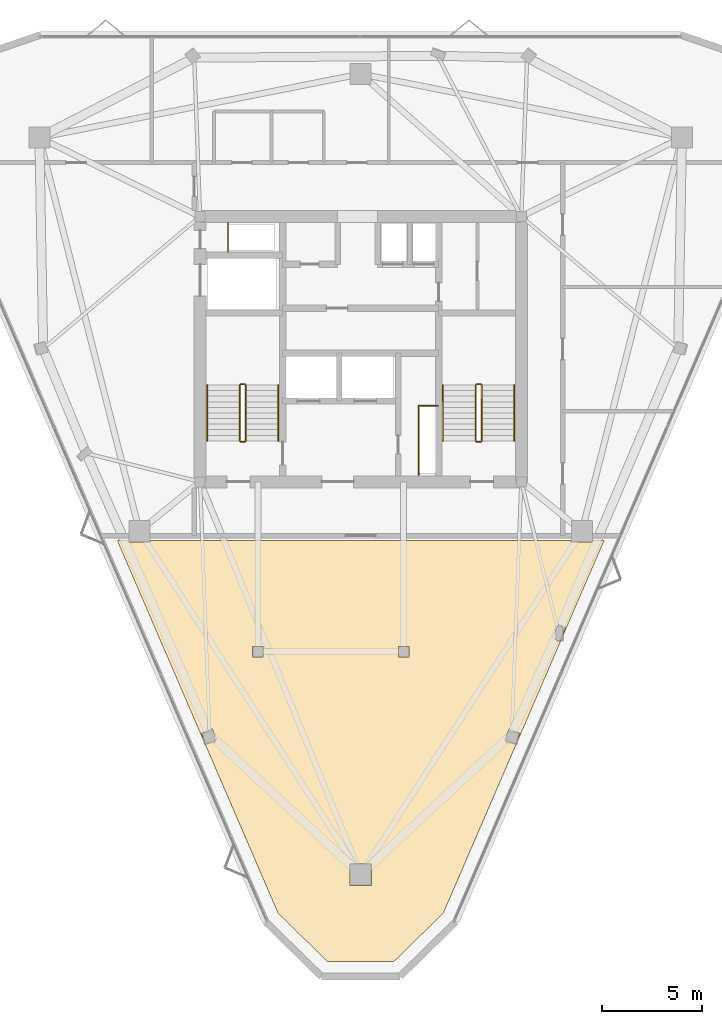
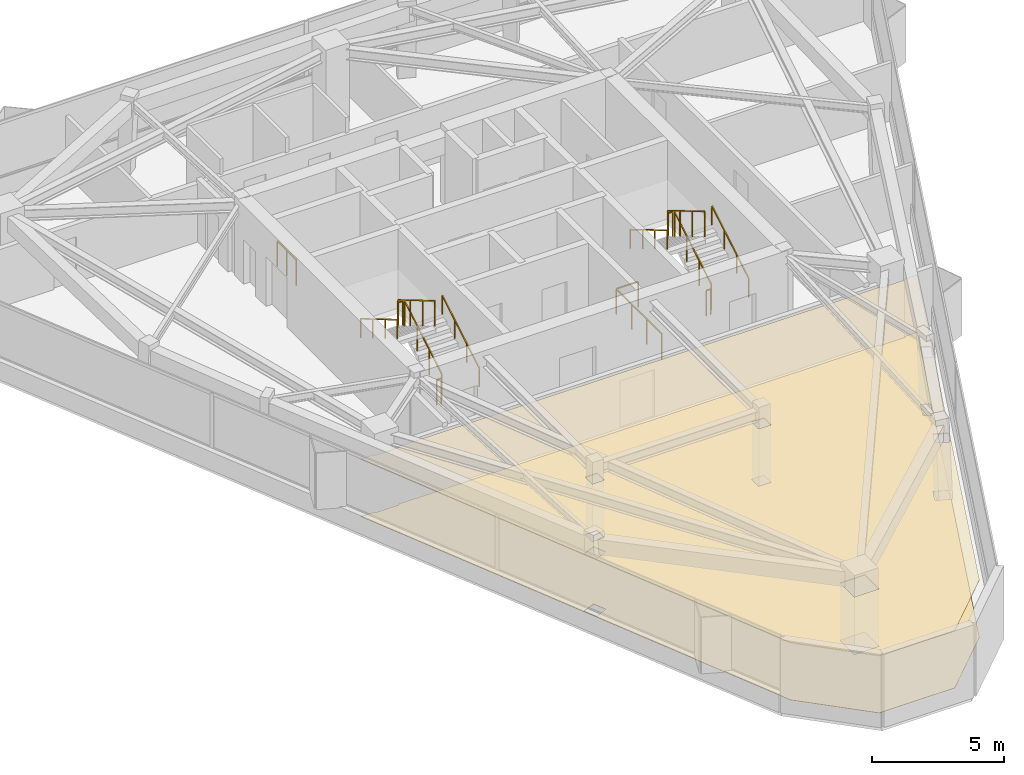
# One storey, part 9 of 9: 14 railings, 2 coverings.
"""IFC4 building model written with IfcOpenShell, lengths in metres."""

from ifc_helpers import new_model, si_unit, direction, frame, origin, origin_2d, place, context, subcontext, project, spatial, polyline, rectangle, outline, extrude, material, layer, layer_set, type_object, element, save


model = new_model("IFC4")

# Units and contexts
model_context = context("Model", 3, precision=1e-05, world=origin(), true_north=direction((0.0, 1.0)))
body_context = subcontext(model_context, "Body", "Model", "MODEL_VIEW")
ifc_project = project(units=[si_unit("LENGTHUNIT", "METRE"), si_unit("AREAUNIT", "SQUARE_METRE"), si_unit("VOLUMEUNIT", "CUBIC_METRE"), si_unit("PLANEANGLEUNIT", "RADIAN"), si_unit("MASSUNIT", "GRAM", prefix="KILO")], contexts=[model_context])

# Site, building, storey
site_placement = place(None, origin())
site = spatial("IfcSite", under=ifc_project, at=site_placement, CompositionType="ELEMENT")
building_placement = place(site_placement, origin())
building = spatial("IfcBuilding", under=site, at=building_placement, Name="Talyreon Biosciences Tower", CompositionType="ELEMENT")
storey_placement = place(building_placement, frame((0.0, 0.0, 291.10009765625)))
storey = spatial("IfcBuildingStorey", under=building, at=storey_placement, Name="L77", CompositionType="ELEMENT", Elevation=291.10009765625)

# Coverings
ifc_material_1 = material(Name="Cleanable acoustic mineral-fibre ceiling tile", Category="gypsum")
ifc_layer_1 = layer(ifc_material_1, 0.0400390625)
ifc_layer_set_1 = layer_set([ifc_layer_1], Name="Cleanable acoustic mineral-fibre ceiling tile")
covering_type_1 = type_object("IfcCoveringType", Name="AcousticCleanroomCeiling_40", PredefinedType="CEILING", material=ifc_layer_set_1)
covering_1_placement = place(storey_placement, frame((0.0, 0.0, 2.639892578125)))
element("IfcCovering", 1, at=covering_1_placement, inside=storey, type_object=covering_type_1, Name="L77 Acoustic Laboratory Ceiling", PredefinedType="CEILING", context=body_context, shape_type="SweptSolid", body=[
    extrude(outline(polyline([(54.373779296875, 58.39990234375), (54.373779296875, 58.34033203125), (55.453857421875, 58.34033203125), (55.453857421875, 58.39990234375), (76.546142578125, 58.39990234375), (76.546142578125, 58.34033203125), (77.626220703125, 58.34033203125), (77.626220703125, 58.39990234375), (78.195068359375, 58.39990234375), (70.144287109375, 39.739990234375), (67.66015625, 37.3037109375), (64.33984375, 37.3037109375), (61.855712890625, 39.739990234375), (53.804931640625, 58.39990234375), (54.373779296875, 58.39990234375)]), holes=[polyline([(66.5400390625, 41.126953125), (66.5400390625, 42.206787109375), (65.4599609375, 42.206787109375), (65.4599609375, 41.126953125), (66.5400390625, 41.126953125)]), polyline([(58.25732421875, 48.206298828125), (58.789794921875, 48.436279296875), (58.56005859375, 48.96875), (58.027587890625, 48.73876953125), (58.25732421875, 48.206298828125)]), polyline([(61.114990234375, 52.574951171875), (61.114990234375, 53.10498046875), (60.5849609375, 53.10498046875), (60.5849609375, 52.574951171875), (61.114990234375, 52.574951171875)]), polyline([(73.972412109375, 48.73876953125), (73.43994140625, 48.96875), (73.210205078125, 48.436279296875), (73.74267578125, 48.206298828125), (73.972412109375, 48.73876953125)]), polyline([(68.4150390625, 52.574951171875), (68.4150390625, 53.10498046875), (67.885009765625, 53.10498046875), (67.885009765625, 52.574951171875), (68.4150390625, 52.574951171875)]), polyline([(75.97216796875, 53.37255859375), (76.261474609375, 54.042724609375), (75.91259765625, 54.193359375), (75.623291015625, 53.523193359375), (75.97216796875, 53.37255859375)])]), origin(), (0.0, 0.0, 1.0), 0.0400390625),
])
ifc_material_2 = material(Name="Chemical-resistant seamless epoxy resin flooring", Category="plastic")
ifc_layer_2 = layer(ifc_material_2, 0.014892578125)
ifc_layer_set_2 = layer_set([ifc_layer_2], Name="Chemical-resistant seamless epoxy resin flooring")
covering_type_2 = type_object("IfcCoveringType", Name="SeamlessEpoxyLabFlooring_15", PredefinedType="FLOORING", material=ifc_layer_set_2)
covering_2_placement = place(storey_placement, origin())
element("IfcCovering", 2, at=covering_2_placement, inside=storey, type_object=covering_type_2, Name="L77 Laboratory Floor Finish", PredefinedType="FLOORING", context=body_context, shape_type="SweptSolid", body=[
    extrude(outline(polyline([(54.373779296875, 58.39990234375), (54.373779296875, 58.34033203125), (55.453857421875, 58.34033203125), (55.453857421875, 58.39990234375), (76.546142578125, 58.39990234375), (76.546142578125, 58.34033203125), (77.626220703125, 58.34033203125), (77.626220703125, 58.39990234375), (78.195068359375, 58.39990234375), (70.144287109375, 39.739990234375), (67.66015625, 37.3037109375), (64.33984375, 37.3037109375), (61.855712890625, 39.739990234375), (53.804931640625, 58.39990234375), (54.373779296875, 58.39990234375)]), holes=[polyline([(66.5400390625, 41.126953125), (66.5400390625, 42.206787109375), (65.4599609375, 42.206787109375), (65.4599609375, 41.126953125), (66.5400390625, 41.126953125)]), polyline([(58.25732421875, 48.206298828125), (58.789794921875, 48.436279296875), (58.56005859375, 48.96875), (58.027587890625, 48.73876953125), (58.25732421875, 48.206298828125)]), polyline([(61.114990234375, 52.574951171875), (61.114990234375, 53.10498046875), (60.5849609375, 53.10498046875), (60.5849609375, 52.574951171875), (61.114990234375, 52.574951171875)]), polyline([(73.972412109375, 48.73876953125), (73.43994140625, 48.96875), (73.210205078125, 48.436279296875), (73.74267578125, 48.206298828125), (73.972412109375, 48.73876953125)]), polyline([(68.4150390625, 52.574951171875), (68.4150390625, 53.10498046875), (67.885009765625, 53.10498046875), (67.885009765625, 52.574951171875), (68.4150390625, 52.574951171875)]), polyline([(75.97216796875, 53.37255859375), (76.261474609375, 54.042724609375), (75.91259765625, 54.193359375), (75.623291015625, 53.523193359375), (75.97216796875, 53.37255859375)])]), origin(), (0.0, 0.0, 1.0), 0.014892578125),
])

# Railings
ifc_material_3 = material(Name="Brushed stainless-steel tubular handrail", Category="steel")
railing_type_1 = type_object("IfcRailingType", Name="StairWallHandrail_900", PredefinedType="HANDRAIL", material=ifc_material_3)
railing_1_placement = place(storey_placement, frame((61.8798828125, 63.39990234375, 0.165771484375)))
element("IfcRailing", 3, at=railing_1_placement, inside=storey, type_object=railing_type_1, Name="L77 ST-1 stair handrail 1", PredefinedType="HANDRAIL", context=body_context, shape_type="SweptSolid", body=[
    extrude(rectangle(XDim=0.048095703125, YDim=0.048095703125, at=origin_2d()), frame((0.0, 0.0, 0.8759765625), z_axis=(0.0, 0.860306154799, 0.50977771628), x_axis=(-1.0, 0.0, 0.0)), (0.0, 0.0, 1.0), 3.254638671875),
    extrude(rectangle(XDim=0.0419921875, YDim=0.0419921875, at=origin_2d()), origin(), (0.0, 0.0, 1.0), 0.851806640625),
    extrude(rectangle(XDim=0.0419921875, YDim=0.0419921875, at=origin_2d()), frame((0.0, 0.933349609375, 0.552978515625)), (0.0, 0.0, 1.0), 0.851806640625),
    extrude(rectangle(XDim=0.0419921875, YDim=0.0419921875, at=origin_2d()), frame((0.0, 1.86669921875, 1.106201171875)), (0.0, 0.0, 1.0), 0.851806640625),
    extrude(rectangle(XDim=0.0419921875, YDim=0.0419921875, at=origin_2d()), frame((0.0, 2.800048828125, 1.6591796875)), (0.0, 0.0, 1.0), 0.851806640625),
])
railing_2_placement = place(storey_placement, frame((58.300048828125, 66.199951171875, 1.99072265625)))
element("IfcRailing", 4, at=railing_2_placement, inside=storey, type_object=railing_type_1, Name="L77 ST-1 stair handrail 2", PredefinedType="HANDRAIL", context=body_context, shape_type="SweptSolid", body=[
    extrude(rectangle(XDim=0.048095703125, YDim=0.048095703125, at=origin_2d()), frame((0.0, 0.0, 0.8759765625), z_axis=(0.0, -0.860306154799, 0.50977771628), x_axis=(1.0, 0.0, 0.0)), (0.0, 0.0, 1.0), 3.254638671875),
    extrude(rectangle(XDim=0.0419921875, YDim=0.0419921875, at=origin_2d()), origin(), (0.0, 0.0, 1.0), 0.851806640625),
    extrude(rectangle(XDim=0.0419921875, YDim=0.0419921875, at=origin_2d()), frame((0.0, -0.933349609375, 0.552978515625)), (0.0, 0.0, 1.0), 0.851806640625),
    extrude(rectangle(XDim=0.0419921875, YDim=0.0419921875, at=origin_2d()), frame((0.0, -1.86669921875, 1.106201171875)), (0.0, 0.0, 1.0), 0.851806640625),
    extrude(rectangle(XDim=0.0419921875, YDim=0.0419921875, at=origin_2d()), frame((0.0, -2.800048828125, 1.6591796875)), (0.0, 0.0, 1.0), 0.851806640625),
])
railing_3_placement = place(storey_placement, frame((73.699951171875, 63.39990234375, 0.165771484375)))
element("IfcRailing", 5, at=railing_3_placement, inside=storey, type_object=railing_type_1, Name="L77 ST-2 stair handrail 1", PredefinedType="HANDRAIL", context=body_context, shape_type="SweptSolid", body=[
    extrude(rectangle(XDim=0.048095703125, YDim=0.048095703125, at=origin_2d()), frame((0.0, 0.0, 0.8759765625), z_axis=(0.0, 0.860306154799, 0.50977771628), x_axis=(-1.0, 0.0, 0.0)), (0.0, 0.0, 1.0), 3.254638671875),
    extrude(rectangle(XDim=0.0419921875, YDim=0.0419921875, at=origin_2d()), origin(), (0.0, 0.0, 1.0), 0.851806640625),
    extrude(rectangle(XDim=0.0419921875, YDim=0.0419921875, at=origin_2d()), frame((0.0, 0.933349609375, 0.552978515625)), (0.0, 0.0, 1.0), 0.851806640625),
    extrude(rectangle(XDim=0.0419921875, YDim=0.0419921875, at=origin_2d()), frame((0.0, 1.86669921875, 1.106201171875)), (0.0, 0.0, 1.0), 0.851806640625),
    extrude(rectangle(XDim=0.0419921875, YDim=0.0419921875, at=origin_2d()), frame((0.0, 2.800048828125, 1.6591796875)), (0.0, 0.0, 1.0), 0.851806640625),
])
railing_4_placement = place(storey_placement, frame((70.1201171875, 66.199951171875, 1.99072265625)))
element("IfcRailing", 6, at=railing_4_placement, inside=storey, type_object=railing_type_1, Name="L77 ST-2 stair handrail 2", PredefinedType="HANDRAIL", context=body_context, shape_type="SweptSolid", body=[
    extrude(rectangle(XDim=0.048095703125, YDim=0.048095703125, at=origin_2d()), frame((0.0, 0.0, 0.8759765625), z_axis=(0.0, -0.860306154799, 0.50977771628), x_axis=(1.0, 0.0, 0.0)), (0.0, 0.0, 1.0), 3.254638671875),
    extrude(rectangle(XDim=0.0419921875, YDim=0.0419921875, at=origin_2d()), origin(), (0.0, 0.0, 1.0), 0.851806640625),
    extrude(rectangle(XDim=0.0419921875, YDim=0.0419921875, at=origin_2d()), frame((0.0, -0.933349609375, 0.552978515625)), (0.0, 0.0, 1.0), 0.851806640625),
    extrude(rectangle(XDim=0.0419921875, YDim=0.0419921875, at=origin_2d()), frame((0.0, -1.86669921875, 1.106201171875)), (0.0, 0.0, 1.0), 0.851806640625),
    extrude(rectangle(XDim=0.0419921875, YDim=0.0419921875, at=origin_2d()), frame((0.0, -2.800048828125, 1.6591796875)), (0.0, 0.0, 1.0), 0.851806640625),
])
ifc_material_4 = material(Name="Painted galvanised steel post-and-rail balustrade", Category="steel")
railing_type_2 = type_object("IfcRailingType", Name="TerraceStairGuard_1200", PredefinedType="GUARDRAIL", material=ifc_material_4)
railing_5_placement = place(storey_placement, frame((60.239990234375, 63.39990234375, 0.165771484375)))
element("IfcRailing", 7, at=railing_5_placement, inside=storey, type_object=railing_type_2, Name="L77 ST-1 stair guard 1", PredefinedType="GUARDRAIL", context=body_context, shape_type="SweptSolid", body=[
    extrude(rectangle(XDim=0.048095703125, YDim=0.048095703125, at=origin_2d()), frame((0.0, 0.0, 1.17578125), z_axis=(0.0, 0.860306154799, 0.50977771628), x_axis=(-1.0, 0.0, 0.0)), (0.0, 0.0, 1.0), 3.254638671875),
    extrude(rectangle(XDim=0.0419921875, YDim=0.0419921875, at=origin_2d()), origin(), (0.0, 0.0, 1.0), 1.15185546875),
    extrude(rectangle(XDim=0.0419921875, YDim=0.0419921875, at=origin_2d()), frame((0.0, 0.933349609375, 0.552978515625)), (0.0, 0.0, 1.0), 1.15185546875),
    extrude(rectangle(XDim=0.0419921875, YDim=0.0419921875, at=origin_2d()), frame((0.0, 1.86669921875, 1.106201171875)), (0.0, 0.0, 1.0), 1.15185546875),
    extrude(rectangle(XDim=0.0419921875, YDim=0.0419921875, at=origin_2d()), frame((0.0, 2.800048828125, 1.6591796875)), (0.0, 0.0, 1.0), 1.15185546875),
])
railing_6_placement = place(storey_placement, frame((60.18994140625, 66.25, 1.824951171875)))
element("IfcRailing", 8, at=railing_6_placement, inside=storey, type_object=railing_type_2, Name="L77 ST-1 stair guard 2", PredefinedType="GUARDRAIL", context=body_context, shape_type="SweptSolid", body=[
    extrude(rectangle(XDim=0.048095703125, YDim=0.048095703125, at=origin_2d()), frame((0.0, 0.0, 1.17578125), z_axis=(-1.0, 0.0, 0.0), x_axis=(0.0, -1.0, 0.0)), (0.0, 0.0, 1.0), 0.199951171875),
    extrude(rectangle(XDim=0.0419921875, YDim=0.0419921875, at=origin_2d()), origin(), (0.0, 0.0, 1.0), 1.15185546875),
    extrude(rectangle(XDim=0.0419921875, YDim=0.0419921875, at=origin_2d()), frame((-0.199951171875, 0.0, 0.0)), (0.0, 0.0, 1.0), 1.15185546875),
])
railing_7_placement = place(storey_placement, frame((59.93994140625, 66.199951171875, 1.99072265625)))
element("IfcRailing", 9, at=railing_7_placement, inside=storey, type_object=railing_type_2, Name="L77 ST-1 stair guard 3", PredefinedType="GUARDRAIL", context=body_context, shape_type="SweptSolid", body=[
    extrude(rectangle(XDim=0.048095703125, YDim=0.048095703125, at=origin_2d()), frame((0.0, 0.0, 1.17578125), z_axis=(0.0, -0.860306154799, 0.50977771628), x_axis=(1.0, 0.0, 0.0)), (0.0, 0.0, 1.0), 3.254638671875),
    extrude(rectangle(XDim=0.0419921875, YDim=0.0419921875, at=origin_2d()), origin(), (0.0, 0.0, 1.0), 1.15185546875),
    extrude(rectangle(XDim=0.0419921875, YDim=0.0419921875, at=origin_2d()), frame((0.0, -0.933349609375, 0.552978515625)), (0.0, 0.0, 1.0), 1.15185546875),
    extrude(rectangle(XDim=0.0419921875, YDim=0.0419921875, at=origin_2d()), frame((0.0, -1.86669921875, 1.106201171875)), (0.0, 0.0, 1.0), 1.15185546875),
    extrude(rectangle(XDim=0.0419921875, YDim=0.0419921875, at=origin_2d()), frame((0.0, -2.800048828125, 1.6591796875)), (0.0, 0.0, 1.0), 1.15185546875),
])
railing_8_placement = place(storey_placement, frame((60.18994140625, 63.35009765625, 0.0)))
element("IfcRailing", 10, at=railing_8_placement, inside=storey, type_object=railing_type_2, Name="L77 ST-1 stair guard 4", PredefinedType="GUARDRAIL", context=body_context, shape_type="SweptSolid", body=[
    extrude(rectangle(XDim=0.048095703125, YDim=0.048095703125, at=origin_2d()), frame((0.0, 0.0, 1.17578125), z_axis=(-1.0, 0.0, 0.0), x_axis=(0.0, -1.0, 0.0)), (0.0, 0.0, 1.0), 0.199951171875),
    extrude(rectangle(XDim=0.0419921875, YDim=0.0419921875, at=origin_2d()), origin(), (0.0, 0.0, 1.0), 1.15185546875),
    extrude(rectangle(XDim=0.0419921875, YDim=0.0419921875, at=origin_2d()), frame((-0.199951171875, 0.0, 0.0)), (0.0, 0.0, 1.0), 1.15185546875),
])
railing_9_placement = place(storey_placement, frame((72.06005859375, 63.39990234375, 0.165771484375)))
element("IfcRailing", 11, at=railing_9_placement, inside=storey, type_object=railing_type_2, Name="L77 ST-2 stair guard 1", PredefinedType="GUARDRAIL", context=body_context, shape_type="SweptSolid", body=[
    extrude(rectangle(XDim=0.048095703125, YDim=0.048095703125, at=origin_2d()), frame((0.0, 0.0, 1.17578125), z_axis=(0.0, 0.860306154799, 0.50977771628), x_axis=(-1.0, 0.0, 0.0)), (0.0, 0.0, 1.0), 3.254638671875),
    extrude(rectangle(XDim=0.0419921875, YDim=0.0419921875, at=origin_2d()), origin(), (0.0, 0.0, 1.0), 1.15185546875),
    extrude(rectangle(XDim=0.0419921875, YDim=0.0419921875, at=origin_2d()), frame((0.0, 0.933349609375, 0.552978515625)), (0.0, 0.0, 1.0), 1.15185546875),
    extrude(rectangle(XDim=0.0419921875, YDim=0.0419921875, at=origin_2d()), frame((0.0, 1.86669921875, 1.106201171875)), (0.0, 0.0, 1.0), 1.15185546875),
    extrude(rectangle(XDim=0.0419921875, YDim=0.0419921875, at=origin_2d()), frame((0.0, 2.800048828125, 1.6591796875)), (0.0, 0.0, 1.0), 1.15185546875),
])
railing_10_placement = place(storey_placement, frame((72.010009765625, 66.25, 1.824951171875)))
element("IfcRailing", 12, at=railing_10_placement, inside=storey, type_object=railing_type_2, Name="L77 ST-2 stair guard 2", PredefinedType="GUARDRAIL", context=body_context, shape_type="SweptSolid", body=[
    extrude(rectangle(XDim=0.048095703125, YDim=0.048095703125, at=origin_2d()), frame((0.0, 0.0, 1.17578125), z_axis=(-1.0, 0.0, 0.0), x_axis=(0.0, -1.0, 0.0)), (0.0, 0.0, 1.0), 0.199951171875),
    extrude(rectangle(XDim=0.0419921875, YDim=0.0419921875, at=origin_2d()), origin(), (0.0, 0.0, 1.0), 1.15185546875),
    extrude(rectangle(XDim=0.0419921875, YDim=0.0419921875, at=origin_2d()), frame((-0.199951171875, 0.0, 0.0)), (0.0, 0.0, 1.0), 1.15185546875),
])
railing_11_placement = place(storey_placement, frame((71.760009765625, 66.199951171875, 1.99072265625)))
element("IfcRailing", 13, at=railing_11_placement, inside=storey, type_object=railing_type_2, Name="L77 ST-2 stair guard 3", PredefinedType="GUARDRAIL", context=body_context, shape_type="SweptSolid", body=[
    extrude(rectangle(XDim=0.048095703125, YDim=0.048095703125, at=origin_2d()), frame((0.0, 0.0, 1.17578125), z_axis=(0.0, -0.860306154799, 0.50977771628), x_axis=(1.0, 0.0, 0.0)), (0.0, 0.0, 1.0), 3.254638671875),
    extrude(rectangle(XDim=0.0419921875, YDim=0.0419921875, at=origin_2d()), origin(), (0.0, 0.0, 1.0), 1.15185546875),
    extrude(rectangle(XDim=0.0419921875, YDim=0.0419921875, at=origin_2d()), frame((0.0, -0.933349609375, 0.552978515625)), (0.0, 0.0, 1.0), 1.15185546875),
    extrude(rectangle(XDim=0.0419921875, YDim=0.0419921875, at=origin_2d()), frame((0.0, -1.86669921875, 1.106201171875)), (0.0, 0.0, 1.0), 1.15185546875),
    extrude(rectangle(XDim=0.0419921875, YDim=0.0419921875, at=origin_2d()), frame((0.0, -2.800048828125, 1.6591796875)), (0.0, 0.0, 1.0), 1.15185546875),
])
railing_12_placement = place(storey_placement, frame((72.010009765625, 63.35009765625, 0.0)))
element("IfcRailing", 14, at=railing_12_placement, inside=storey, type_object=railing_type_2, Name="L77 ST-2 stair guard 4", PredefinedType="GUARDRAIL", context=body_context, shape_type="SweptSolid", body=[
    extrude(rectangle(XDim=0.048095703125, YDim=0.048095703125, at=origin_2d()), frame((0.0, 0.0, 1.17578125), z_axis=(-1.0, 0.0, 0.0), x_axis=(0.0, -1.0, 0.0)), (0.0, 0.0, 1.0), 0.199951171875),
    extrude(rectangle(XDim=0.0419921875, YDim=0.0419921875, at=origin_2d()), origin(), (0.0, 0.0, 1.0), 1.15185546875),
    extrude(rectangle(XDim=0.0419921875, YDim=0.0419921875, at=origin_2d()), frame((-0.199951171875, 0.0, 0.0)), (0.0, 0.0, 1.0), 1.15185546875),
])
railing_13_placement = place(storey_placement, frame((59.35009765625, 72.8798828125, 0.0)))
element("IfcRailing", 15, at=railing_13_placement, inside=storey, type_object=railing_type_2, Name="L77 Exhaust Riser Maintenance Guardrail", PredefinedType="GUARDRAIL", context=body_context, shape_type="SweptSolid", body=[
    extrude(rectangle(XDim=0.048095703125, YDim=0.048095703125, at=origin_2d()), frame((0.0, 0.0, 1.17578125), z_axis=(0.0, 1.0, 0.0), x_axis=(-1.0, 0.0, 0.0)), (0.0, 0.0, 1.0), 1.4501953125),
    extrude(rectangle(XDim=0.0419921875, YDim=0.0419921875, at=origin_2d()), origin(), (0.0, 0.0, 1.0), 1.15185546875),
    extrude(rectangle(XDim=0.0419921875, YDim=0.0419921875, at=origin_2d()), frame((0.0, 0.72509765625, 0.0)), (0.0, 0.0, 1.0), 1.15185546875),
    extrude(rectangle(XDim=0.0419921875, YDim=0.0419921875, at=origin_2d()), frame((0.0, 1.4501953125, 0.0)), (0.0, 0.0, 1.0), 1.15185546875),
])
railing_14_placement = place(storey_placement, frame((68.909912109375, 61.699951171875, 0.0)))
element("IfcRailing", 16, at=railing_14_placement, inside=storey, type_object=railing_type_2, Name="L77 Electrical Riser Maintenance Guardrail", PredefinedType="GUARDRAIL", context=body_context, shape_type="SweptSolid", body=[
    extrude(rectangle(XDim=0.048095703125, YDim=0.048095703125, at=origin_2d()), frame((0.0, 0.0, 1.17578125), z_axis=(0.0, 1.0, 0.0), x_axis=(-1.0, 0.0, 0.0)), (0.0, 0.0, 1.0), 3.4599609375),
    extrude(rectangle(XDim=0.048095703125, YDim=0.048095703125, at=origin_2d()), frame((0.0, 3.4599609375, 1.17578125), z_axis=(1.0, 0.0, 0.0), x_axis=(0.0, 1.0, 0.0)), (0.0, 0.0, 1.0), 0.9501953125),
    extrude(rectangle(XDim=0.0419921875, YDim=0.0419921875, at=origin_2d()), origin(), (0.0, 0.0, 1.0), 1.15185546875),
    extrude(rectangle(XDim=0.0419921875, YDim=0.0419921875, at=origin_2d()), frame((0.0, 1.1533203125, 0.0)), (0.0, 0.0, 1.0), 1.15185546875),
    extrude(rectangle(XDim=0.0419921875, YDim=0.0419921875, at=origin_2d()), frame((0.0, 2.306640625, 0.0)), (0.0, 0.0, 1.0), 1.15185546875),
    extrude(rectangle(XDim=0.0419921875, YDim=0.0419921875, at=origin_2d()), frame((0.0, 3.4599609375, 0.0)), (0.0, 0.0, 1.0), 1.15185546875),
    extrude(rectangle(XDim=0.0419921875, YDim=0.0419921875, at=origin_2d()), frame((0.9501953125, 3.4599609375, 0.0)), (0.0, 0.0, 1.0), 1.15185546875),
])

save(model, "model.ifc")
